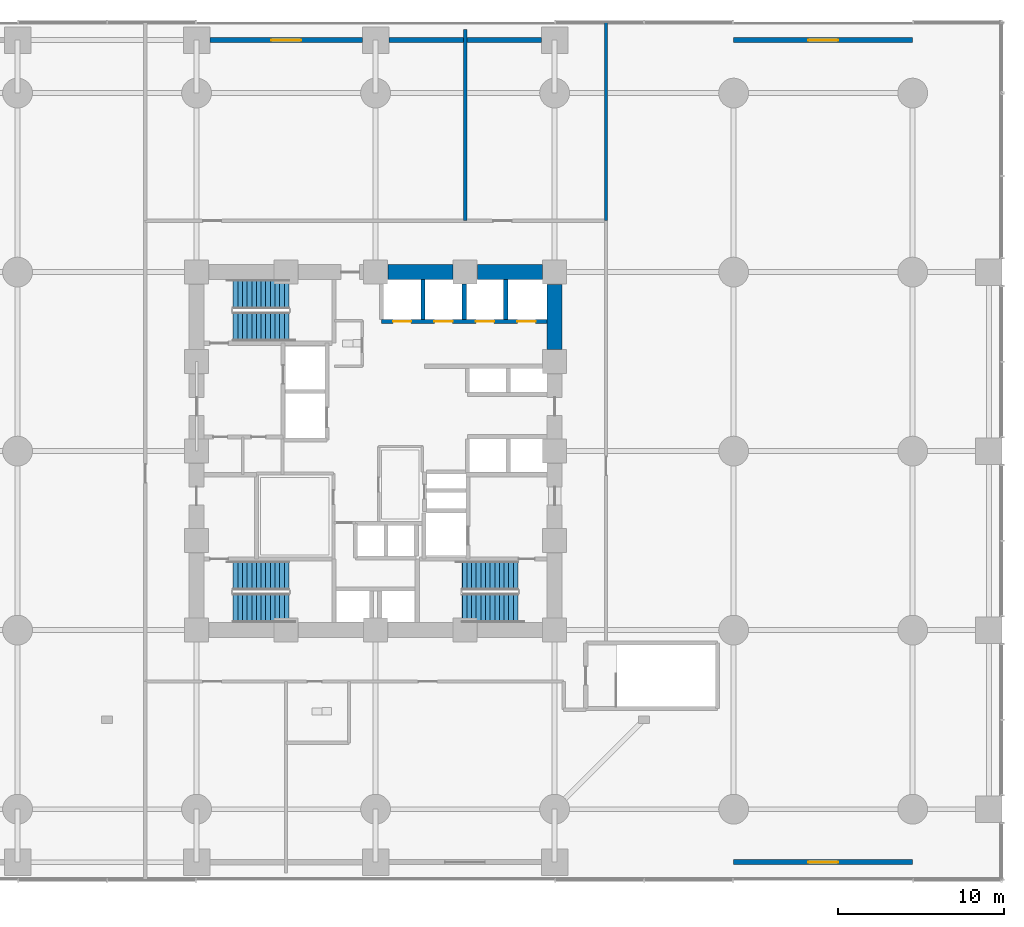
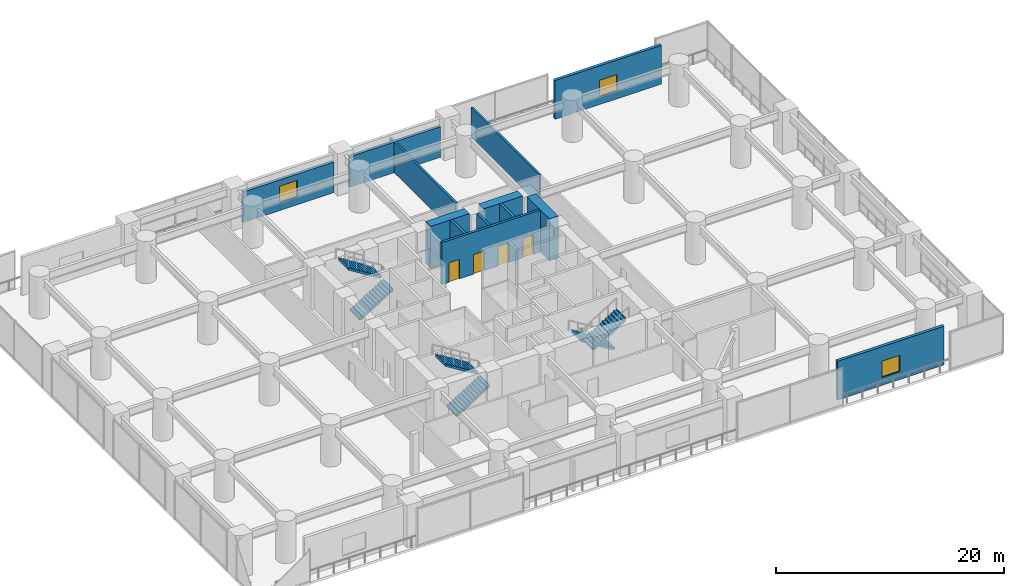
# One storey, part 29 of 35: 13 walls, 6 stair flights, 4 doors, 3 windows, 7 openings, 3 elements without a shape of their own.
"""IFC4 building model written with IfcOpenShell, lengths in metres."""

from ifc_helpers import new_model, si_unit, direction, frame, frame_2d, origin, place, context, subcontext, project, spatial, polyline, rectangle, outline, extrude, material, layer, layer_set, type_object, element, fill, aggregate, save


model = new_model("IFC4")

# Units and contexts
model_context = context("Model", 3, precision=1e-05, world=origin(), true_north=direction((0.0, 1.0)))
body_context = subcontext(model_context, "Body", "Model", "MODEL_VIEW")
ifc_project = project(units=[si_unit("LENGTHUNIT", "METRE"), si_unit("AREAUNIT", "SQUARE_METRE"), si_unit("VOLUMEUNIT", "CUBIC_METRE"), si_unit("PLANEANGLEUNIT", "RADIAN"), si_unit("MASSUNIT", "GRAM", prefix="KILO")], contexts=[model_context])

# Site, building, storey
site_placement = place(None, origin())
site = spatial("IfcSite", under=ifc_project, at=site_placement, CompositionType="ELEMENT")
building_placement = place(site_placement, origin())
building = spatial("IfcBuilding", under=site, at=building_placement, Name="Surkhivell Harbour Commons", CompositionType="ELEMENT")
storey_placement = place(building_placement, frame((0.0, 0.0, 13.5)))
storey = spatial("IfcBuildingStorey", under=building, at=storey_placement, Name="L03", CompositionType="ELEMENT", Elevation=13.5)

# Walls
ifc_material_1 = material(Name="Concrete C80/95", Category="concrete")
ifc_layer_1 = layer(ifc_material_1, 0.89990234375)
ifc_layer_set_1 = layer_set([ifc_layer_1], Name="Concrete C80/95")
wall_type_1 = type_object("IfcWallType", Name="WAL-CORE-900", PredefinedType="SHEAR", material=ifc_layer_set_1)
for number, where, z_axis, x_axis, name in (
    (1, (0.735107421875, 10.800048828125, 0.0), (0.0, 0.0, 1.0), (1.0, 0.0, 0.0), "L03 Core Shear Wall North 3"),
    (2, (6.135009765625, 10.800048828125, 0.0), (0.0, 0.0, 1.0), (1.0, 0.0, 0.0), "L03 Core Shear Wall North 4"),
    (3, (10.800048828125, 6.135009765625, 0.0), (0.0, 0.0, 1.0), (0.0, 1.0, 0.0), "L03 Core Shear Wall East 4"),
):
    element("IfcWall", number, at=place(storey_placement, frame(where, z_axis=z_axis, x_axis=x_axis)), inside=storey, type_object=wall_type_1, Name=name, PredefinedType="SHEAR", context=body_context, shape_type="SweptSolid", body=[
        extrude(rectangle(XDim=3.929931640625, YDim=0.89990234375, at=frame_2d((1.96484375, 0.0))), origin(), (0.0, 0.0, 1.0), 4.5),
    ])
ifc_material_2 = material(Name="Flemish-bond kiln brick and precast concrete C45/55", Category="masonry")
ifc_layer_2 = layer(ifc_material_2, 0.300048828125)
ifc_layer_set_2 = layer_set([ifc_layer_2], Name="Flemish-bond kiln brick and precast concrete C45/55")
wall_type_2 = type_object("IfcWallType", Name="WAL-EXT-BRK300", PredefinedType="STANDARD", material=ifc_layer_set_2)
wall_1_placement = place(storey_placement, frame((0.798095703125, 24.800048828125, 0.0), z_axis=(0.0, 0.0, 1.0), x_axis=(1.0, 0.0, 0.0)))
element("IfcWall", 4, at=wall_1_placement, inside=storey, type_object=wall_type_2, Name="L03 Podium Brick Facade Wall N5", PredefinedType="STANDARD", context=body_context, shape_type="SweptSolid", body=[
    extrude(rectangle(XDim=9.203857421875, YDim=0.300048828125, at=frame_2d((4.60205078125, 0.0))), origin(), (0.0, 0.0, 1.0), 3.279052734375),
])

# Wall, opening, window
wall_2_placement = place(storey_placement, frame((21.60009765625, 24.800048828125, 0.0), z_axis=(0.0, 0.0, 1.0), x_axis=(1.0, 0.0, 0.0)))
wall_2 = element("IfcWall", 5, at=wall_2_placement, inside=storey, type_object=wall_type_2, Name="L03 Podium Brick Facade Wall N7", PredefinedType="STANDARD", context=body_context, shape_type="SweptSolid", body=[
    extrude(rectangle(XDim=10.7998046875, YDim=0.300048828125, at=frame_2d((5.39990234375, 0.0))), origin(), (0.0, 0.0, 1.0), 4.14990234375),
])
opening_1_placement = place(wall_2_placement, frame((4.5, 0.0, 0.85009765625)))
opening_1 = element("IfcOpeningElement", 6, at=opening_1_placement, cuts=wall_2, Name="Opening WN-03", PredefinedType="OPENING", context=body_context, shape_type="SweptSolid", body=[
    extrude(rectangle(XDim=1.800048828125, YDim=1.75, at=frame_2d((0.89990234375, 0.875))), frame((0.0, 0.159912109375, 0.0), z_axis=(0.0, -1.0, 0.0), x_axis=(1.0, 0.0, 0.0)), (0.0, 0.0, 1.0), 0.320068359375),
])
ifc_material_3 = material(Name="Thermal-break aluminium frame and double low-E glazing", Category="aluminium")
window_type = type_object("IfcWindowType", Name="WIN-POD-1800x1750", PartitioningType="DOUBLE_PANEL_VERTICAL", PredefinedType="WINDOW", material=ifc_material_3)
window_1_placement = place(opening_1_placement, origin())
window_1 = element("IfcWindow", 7, at=window_1_placement, inside=storey, type_object=window_type, Name="L03 Podium Punched Window N7", OverallHeight=1.75, OverallWidth=1.800048828125, PartitioningType="SINGLE_PANEL", PredefinedType="WINDOW", context=body_context, shape_type="SweptSolid", body=[
    extrude(rectangle(XDim=1.800048828125, YDim=1.75, at=frame_2d((0.89990234375, 0.875))), frame((0.0, 0.030029296875, 0.0), z_axis=(0.0, -1.0, 0.0), x_axis=(1.0, 0.0, 0.0)), (0.0, 0.0, 1.0), 0.06005859375),
])
fill(opening_1, window_1)

wall_3_placement = place(storey_placement, frame((32.39990234375, -24.800048828125, 0.0), z_axis=(0.0, 0.0, 1.0), x_axis=(-1.0, 0.0, 0.0)))
wall_3 = element("IfcWall", 8, at=wall_3_placement, inside=storey, type_object=wall_type_2, Name="L03 Podium Brick Facade Wall S7", PredefinedType="STANDARD", context=body_context, shape_type="SweptSolid", body=[
    extrude(rectangle(XDim=10.7998046875, YDim=0.300048828125, at=frame_2d((5.39990234375, 0.0))), origin(), (0.0, 0.0, 1.0), 4.14990234375),
])
opening_2_placement = place(wall_3_placement, frame((4.5, 0.0, 0.85009765625)))
opening_2 = element("IfcOpeningElement", 9, at=opening_2_placement, cuts=wall_3, Name="Opening WN-03", PredefinedType="OPENING", context=body_context, shape_type="SweptSolid", body=[
    extrude(rectangle(XDim=1.800048828125, YDim=1.75, at=frame_2d((0.89990234375, 0.875))), frame((0.0, 0.159912109375, 0.0), z_axis=(0.0, -1.0, 0.0), x_axis=(1.0, 0.0, 0.0)), (0.0, 0.0, 1.0), 0.320068359375),
])
window_2_placement = place(opening_2_placement, origin())
window_2 = element("IfcWindow", 10, at=window_2_placement, inside=storey, type_object=window_type, Name="L03 Podium Punched Window S7", OverallHeight=1.75, OverallWidth=1.800048828125, PartitioningType="SINGLE_PANEL", PredefinedType="WINDOW", context=body_context, shape_type="SweptSolid", body=[
    extrude(rectangle(XDim=1.800048828125, YDim=1.75, at=frame_2d((0.89990234375, 0.875))), frame((0.0, 0.030029296875, 0.0), z_axis=(0.0, -1.0, 0.0), x_axis=(1.0, 0.0, 0.0)), (0.0, 0.0, 1.0), 0.06005859375),
])
fill(opening_2, window_2)

ifc_material_4 = material(Name="Kiln-fired surkhi brick and precast concrete C45/55", Category="masonry")
ifc_layer_3 = layer(ifc_material_4, 0.320068359375)
ifc_layer_set_3 = layer_set([ifc_layer_3], Name="Kiln-fired surkhi brick and precast concrete C45/55")
wall_type_3 = type_object("IfcWallType", Name="WAL-EXT-BRK320", PredefinedType="STANDARD", material=ifc_layer_set_3)
wall_4_placement = place(storey_placement, frame((-10.001953125, 24.800048828125, 0.0), z_axis=(0.0, 0.0, 1.0), x_axis=(1.0, 0.0, 0.0)))
wall_4 = element("IfcWall", 11, at=wall_4_placement, inside=storey, type_object=wall_type_3, Name="L03 Podium Brick Facade Wall N4", PredefinedType="STANDARD", context=body_context, shape_type="SweptSolid", body=[
    extrude(rectangle(XDim=9.203857421875, YDim=0.320068359375, at=frame_2d((4.60205078125, 0.0))), origin(), (0.0, 0.0, 1.0), 3.279052734375),
])
opening_3_placement = place(wall_4_placement, frame((3.701904296875, 0.0, 0.85009765625)))
opening_3 = element("IfcOpeningElement", 12, at=opening_3_placement, cuts=wall_4, Name="Opening WN-03", PredefinedType="OPENING", context=body_context, shape_type="SweptSolid", body=[
    extrude(rectangle(XDim=1.800048828125, YDim=1.75, at=frame_2d((0.89990234375, 0.875))), frame((0.0, 0.169921875, 0.0), z_axis=(0.0, -1.0, 0.0), x_axis=(1.0, 0.0, 0.0)), (0.0, 0.0, 1.0), 0.340087890625),
])
window_3_placement = place(opening_3_placement, origin())
window_3 = element("IfcWindow", 13, at=window_3_placement, inside=storey, type_object=window_type, Name="L03 Podium Punched Window N4", OverallHeight=1.75, OverallWidth=1.800048828125, PartitioningType="SINGLE_PANEL", PredefinedType="WINDOW", context=body_context, shape_type="SweptSolid", body=[
    extrude(rectangle(XDim=1.800048828125, YDim=1.75, at=frame_2d((0.89990234375, 0.875))), frame((0.0, 0.030029296875, 0.0), z_axis=(0.0, -1.0, 0.0), x_axis=(1.0, 0.0, 0.0)), (0.0, 0.0, 1.0), 0.06005859375),
])
fill(opening_3, window_3)

# Walls
ifc_material_5 = material(Name="Autoclaved aerated concrete blockwork and fire plaster", Category="masonry")
ifc_layer_4 = layer(ifc_material_5, 0.199951171875)
ifc_layer_set_4 = layer_set([ifc_layer_4], Name="Autoclaved aerated concrete blockwork and fire plaster")
wall_type_4 = type_object("IfcWallType", Name="WAL-INT-200", PredefinedType="PARTITIONING", material=ifc_layer_set_4)
wall_5_placement = place(storey_placement, frame((5.39990234375, 13.89990234375, 0.0), z_axis=(0.0, 0.0, 1.0), x_axis=(0.0, 1.0, 0.0)))
element("IfcWall", 14, at=wall_5_placement, inside=storey, type_object=wall_type_4, Name="L03 Podium North Divider", PredefinedType="PARTITIONING", context=body_context, shape_type="SweptSolid", body=[
    extrude(rectangle(XDim=11.550048828125, YDim=0.199951171875, at=frame_2d((5.77490234375, 0.0))), origin(), (0.0, 0.0, 1.0), 3.279052734375),
])
wall_6_placement = place(storey_placement, frame((13.89990234375, 13.89990234375, 0.0), z_axis=(0.0, 0.0, 1.0), x_axis=(0.0, 1.0, 0.0)))
element("IfcWall", 15, at=wall_6_placement, inside=storey, type_object=wall_type_4, Name="L03 Corner NE Divider", PredefinedType="PARTITIONING", context=body_context, shape_type="SweptSolid", body=[
    extrude(rectangle(XDim=11.960205078125, YDim=0.199951171875, at=frame_2d((5.97998046875, 0.0))), origin(), (0.0, 0.0, 1.0), 3.279052734375),
])
ifc_material_6 = material(Name="Concrete C50/60", Category="concrete")
ifc_layer_5 = layer(ifc_material_6, 0.25)
ifc_layer_set_5 = layer_set([ifc_layer_5], Name="Concrete C50/60")
wall_type_5 = type_object("IfcWallType", Name="WAL-SHAFT-250", PredefinedType="SHEAR", material=ifc_layer_set_5)
wall_7_placement = place(storey_placement, frame((2.85009765625, 7.93994140625, 0.0), z_axis=(0.0, 0.0, 1.0), x_axis=(0.0, 1.0, 0.0)))
element("IfcWall", 16, at=wall_7_placement, inside=storey, type_object=wall_type_5, Name="L03 Low-Rise Hoistway Wall", PredefinedType="SHEAR", context=body_context, shape_type="SweptSolid", body=[
    extrude(rectangle(XDim=2.41015625, YDim=0.25, at=frame_2d((1.205078125, 0.0))), origin(), (0.0, 0.0, 1.0), 4.5),
])
wall_8_placement = place(storey_placement, frame((5.35009765625, 7.93994140625, 0.0), z_axis=(0.0, 0.0, 1.0), x_axis=(0.0, 1.0, 0.0)))
element("IfcWall", 17, at=wall_8_placement, inside=storey, type_object=wall_type_5, Name="L03 Low-Rise Hoistway Wall", PredefinedType="SHEAR", context=body_context, shape_type="SweptSolid", body=[
    extrude(rectangle(XDim=2.135009765625, YDim=0.25, at=frame_2d((1.0673828125, 0.0))), origin(), (0.0, 0.0, 1.0), 4.5),
])
wall_9_placement = place(storey_placement, frame((7.85009765625, 7.93994140625, 0.0), z_axis=(0.0, 0.0, 1.0), x_axis=(0.0, 1.0, 0.0)))
element("IfcWall", 18, at=wall_9_placement, inside=storey, type_object=wall_type_5, Name="L03 Low-Rise Hoistway Wall", PredefinedType="SHEAR", context=body_context, shape_type="SweptSolid", body=[
    extrude(rectangle(XDim=2.41015625, YDim=0.25, at=frame_2d((1.205078125, 0.0))), origin(), (0.0, 0.0, 1.0), 4.5),
])

# Wall, openings, doors
wall_10_placement = place(storey_placement, frame((0.35009765625, 7.820068359375, 0.0), z_axis=(0.0, 0.0, 1.0), x_axis=(1.0, 0.0, 0.0)))
wall_10 = element("IfcWall", 19, at=wall_10_placement, inside=storey, type_object=wall_type_5, Name="L03 Low-Rise Lift Front Shaft Wall", PredefinedType="SHEAR", context=body_context, shape_type="SweptSolid", body=[
    extrude(rectangle(XDim=10.0, YDim=0.25, at=frame_2d((5.0, 0.0))), origin(), (0.0, 0.0, 1.0), 4.5),
])
opening_4_placement = place(wall_10_placement, frame((0.699951171875, 0.0, 0.0)))
opening_4 = element("IfcOpeningElement", 20, at=opening_4_placement, cuts=wall_10, Name="Opening LD-1", PredefinedType="OPENING", context=body_context, shape_type="SweptSolid", body=[
    extrude(rectangle(XDim=1.10009765625, YDim=2.10009765625, at=frame_2d((0.550048828125, 1.050048828125))), frame((0.0, 0.135009765625, 0.0), z_axis=(0.0, -1.0, 0.0), x_axis=(1.0, 0.0, 0.0)), (0.0, 0.0, 1.0), 0.27001953125),
])
opening_5_placement = place(wall_10_placement, frame((3.199951171875, 0.0, 0.0)))
opening_5 = element("IfcOpeningElement", 21, at=opening_5_placement, cuts=wall_10, Name="Opening LD-1", PredefinedType="OPENING", context=body_context, shape_type="SweptSolid", body=[
    extrude(rectangle(XDim=1.10009765625, YDim=2.10009765625, at=frame_2d((0.550048828125, 1.050048828125))), frame((0.0, 0.135009765625, 0.0), z_axis=(0.0, -1.0, 0.0), x_axis=(1.0, 0.0, 0.0)), (0.0, 0.0, 1.0), 0.27001953125),
])
opening_6_placement = place(wall_10_placement, frame((5.699951171875, 0.0, 0.0)))
opening_6 = element("IfcOpeningElement", 22, at=opening_6_placement, cuts=wall_10, Name="Opening LD-1", PredefinedType="OPENING", context=body_context, shape_type="SweptSolid", body=[
    extrude(rectangle(XDim=1.10009765625, YDim=2.10009765625, at=frame_2d((0.550048828125, 1.050048828125))), frame((0.0, 0.135009765625, 0.0), z_axis=(0.0, -1.0, 0.0), x_axis=(1.0, 0.0, 0.0)), (0.0, 0.0, 1.0), 0.27001953125),
])
opening_7_placement = place(wall_10_placement, frame((8.199951171875, 0.0, 0.0)))
opening_7 = element("IfcOpeningElement", 23, at=opening_7_placement, cuts=wall_10, Name="Opening LD-1", PredefinedType="OPENING", context=body_context, shape_type="SweptSolid", body=[
    extrude(rectangle(XDim=1.10009765625, YDim=2.10009765625, at=frame_2d((0.550048828125, 1.050048828125))), frame((0.0, 0.135009765625, 0.0), z_axis=(0.0, -1.0, 0.0), x_axis=(1.0, 0.0, 0.0)), (0.0, 0.0, 1.0), 0.27001953125),
])
ifc_material_7 = material(Name="Brushed stainless steel S355", Category="steel")
door_type = type_object("IfcDoorType", Name="DOR-LD-1100", OperationType="SLIDING_TO_LEFT", PredefinedType="DOOR", material=ifc_material_7)
door_1_placement = place(opening_4_placement, origin())
door_1 = element("IfcDoor", 24, at=door_1_placement, inside=storey, type_object=door_type, Name="L03 Lift Landing Door LD-PL1", OperationType="SLIDING_TO_LEFT", OverallHeight=2.10009765625, OverallWidth=1.10009765625, PredefinedType="DOOR", context=body_context, shape_type="SweptSolid", body=[
    extrude(rectangle(XDim=1.10009765625, YDim=2.10009765625, at=frame_2d((0.550048828125, 1.050048828125))), frame((0.0, 0.02490234375, 0.0), z_axis=(0.0, -1.0, 0.0), x_axis=(1.0, 0.0, 0.0)), (0.0, 0.0, 1.0), 0.050048828125),
])
fill(opening_4, door_1)
door_2_placement = place(opening_5_placement, origin())
door_2 = element("IfcDoor", 25, at=door_2_placement, inside=storey, type_object=door_type, Name="L03 Lift Landing Door LD-PL2", OperationType="SLIDING_TO_LEFT", OverallHeight=2.10009765625, OverallWidth=1.10009765625, PredefinedType="DOOR", context=body_context, shape_type="SweptSolid", body=[
    extrude(rectangle(XDim=1.10009765625, YDim=2.10009765625, at=frame_2d((0.550048828125, 1.050048828125))), frame((0.0, 0.02490234375, 0.0), z_axis=(0.0, -1.0, 0.0), x_axis=(1.0, 0.0, 0.0)), (0.0, 0.0, 1.0), 0.050048828125),
])
fill(opening_5, door_2)
door_3_placement = place(opening_6_placement, origin())
door_3 = element("IfcDoor", 26, at=door_3_placement, inside=storey, type_object=door_type, Name="L03 Lift Landing Door LD-PL3", OperationType="SLIDING_TO_LEFT", OverallHeight=2.10009765625, OverallWidth=1.10009765625, PredefinedType="DOOR", context=body_context, shape_type="SweptSolid", body=[
    extrude(rectangle(XDim=1.10009765625, YDim=2.10009765625, at=frame_2d((0.550048828125, 1.050048828125))), frame((0.0, 0.02490234375, 0.0), z_axis=(0.0, -1.0, 0.0), x_axis=(1.0, 0.0, 0.0)), (0.0, 0.0, 1.0), 0.050048828125),
])
fill(opening_6, door_3)
door_4_placement = place(opening_7_placement, origin())
door_4 = element("IfcDoor", 27, at=door_4_placement, inside=storey, type_object=door_type, Name="L03 Lift Landing Door LD-PL4", OperationType="SLIDING_TO_LEFT", OverallHeight=2.10009765625, OverallWidth=1.10009765625, PredefinedType="DOOR", context=body_context, shape_type="SweptSolid", body=[
    extrude(rectangle(XDim=1.10009765625, YDim=2.10009765625, at=frame_2d((0.550048828125, 1.050048828125))), frame((0.0, 0.02490234375, 0.0), z_axis=(0.0, -1.0, 0.0), x_axis=(1.0, 0.0, 0.0)), (0.0, 0.0, 1.0), 0.050048828125),
])
fill(opening_7, door_4)

# Stair, stair flights
ifc_material_8 = material(Name="Precast concrete C45/55", Category="concrete")
stair_type = type_object("IfcStairType", Name="STR-DL-450", PredefinedType="HALF_TURN_STAIR", material=ifc_material_8)
stair_1_placement = place(storey_placement, origin())
stair_1 = element("IfcStair", 28, at=stair_1_placement, inside=storey, type_object=stair_type, Name="L03 Core Exit Stair ST1", PredefinedType="HALF_TURN_STAIR")
stair_flight_type = type_object("IfcStairFlightType", Name="STF-DL-450", PredefinedType="STRAIGHT", material=ifc_material_8)
stair_flight_1_placement = place(storey_placement, frame((-8.590087890625, 7.514892578125, 0.0), z_axis=(0.0, 0.0, 1.0), x_axis=(1.0, 0.0, 0.0)))
stair_flight_1 = element("IfcStairFlight", 29, at=stair_flight_1_placement, type_object=stair_flight_type, Name="ST1 flight 1", NumberOfRisers=13, NumberOfTreads=12, PredefinedType="STRAIGHT", RiserHeight=0.173076923, TreadLength=0.28, context=body_context, shape_type="SweptSolid", body=[
    extrude(outline(polyline([(-0.0029296875, -0.034912109375), (-0.0029296875, 0.0), (0.0, 0.0), (0.0, 0.173095703125), (0.280029296875, 0.173095703125), (0.280029296875, 0.34619140625), (0.56005859375, 0.34619140625), (0.56005859375, 0.519287109375), (0.840087890625, 0.519287109375), (0.840087890625, 0.6923828125), (1.1201171875, 0.6923828125), (1.1201171875, 0.865478515625), (1.39990234375, 0.865478515625), (1.39990234375, 1.03857421875), (1.679931640625, 1.03857421875), (1.679931640625, 1.21142578125), (1.9599609375, 1.21142578125), (1.9599609375, 1.384521484375), (2.239990234375, 1.384521484375), (2.239990234375, 1.5576171875), (2.52001953125, 1.5576171875), (2.52001953125, 1.730712890625), (2.800048828125, 1.730712890625), (2.800048828125, 1.90380859375), (3.080078125, 1.90380859375), (3.080078125, 2.076904296875), (3.360107421875, 2.076904296875), (3.360107421875, 2.25), (3.363037109375, 2.25), (3.363037109375, 1.900634765625), (0.28515625, -0.034912109375), (-0.0029296875, -0.034912109375)])), frame((0.0, 0.875, 0.0), z_axis=(0.0, -1.0, 0.0), x_axis=(1.0, 0.0, 0.0)), (0.0, 0.0, 1.0), 1.75),
])
stair_flight_2_placement = place(storey_placement, frame((-5.22998046875, 9.465087890625, 2.25), z_axis=(0.0, 0.0, 1.0), x_axis=(-1.0, 0.0, 0.0)))
stair_flight_2 = element("IfcStairFlight", 30, at=stair_flight_2_placement, type_object=stair_flight_type, Name="ST1 flight 2", NumberOfRisers=13, NumberOfTreads=12, PredefinedType="STRAIGHT", RiserHeight=0.173076923, TreadLength=0.28, context=body_context, shape_type="SweptSolid", body=[
    extrude(outline(polyline([(-0.0029296875, -0.034912109375), (-0.0029296875, 0.0), (0.0, 0.0), (0.0, 0.173095703125), (0.280029296875, 0.173095703125), (0.280029296875, 0.34619140625), (0.56005859375, 0.34619140625), (0.56005859375, 0.519287109375), (0.840087890625, 0.519287109375), (0.840087890625, 0.6923828125), (1.1201171875, 0.6923828125), (1.1201171875, 0.865478515625), (1.39990234375, 0.865478515625), (1.39990234375, 1.03857421875), (1.679931640625, 1.03857421875), (1.679931640625, 1.21142578125), (1.9599609375, 1.21142578125), (1.9599609375, 1.384521484375), (2.239990234375, 1.384521484375), (2.239990234375, 1.5576171875), (2.52001953125, 1.5576171875), (2.52001953125, 1.730712890625), (2.800048828125, 1.730712890625), (2.800048828125, 1.90380859375), (3.080078125, 1.90380859375), (3.080078125, 2.076904296875), (3.360107421875, 2.076904296875), (3.360107421875, 2.25), (3.363037109375, 2.25), (3.363037109375, 1.900634765625), (0.28515625, -0.034912109375), (-0.0029296875, -0.034912109375)])), frame((0.0, 0.875, 0.0), z_axis=(0.0, -1.0, 0.0), x_axis=(1.0, 0.0, 0.0)), (0.0, 0.0, 1.0), 1.75),
])
aggregate(stair_1, [stair_flight_1, stair_flight_2])

stair_2_placement = place(storey_placement, origin())
stair_2 = element("IfcStair", 31, at=stair_2_placement, inside=storey, type_object=stair_type, Name="L03 Core Exit Stair ST2", PredefinedType="HALF_TURN_STAIR")
stair_flight_3_placement = place(storey_placement, frame((8.590087890625, -7.514892578125, 0.0), z_axis=(0.0, 0.0, 1.0), x_axis=(-1.0, 0.0, 0.0)))
stair_flight_3 = element("IfcStairFlight", 32, at=stair_flight_3_placement, type_object=stair_flight_type, Name="ST2 flight 1", NumberOfRisers=13, NumberOfTreads=12, PredefinedType="STRAIGHT", RiserHeight=0.173076923, TreadLength=0.28, context=body_context, shape_type="SweptSolid", body=[
    extrude(outline(polyline([(-0.0029296875, -0.034912109375), (-0.0029296875, 0.0), (0.0, 0.0), (0.0, 0.173095703125), (0.280029296875, 0.173095703125), (0.280029296875, 0.34619140625), (0.56005859375, 0.34619140625), (0.56005859375, 0.519287109375), (0.840087890625, 0.519287109375), (0.840087890625, 0.6923828125), (1.1201171875, 0.6923828125), (1.1201171875, 0.865478515625), (1.39990234375, 0.865478515625), (1.39990234375, 1.03857421875), (1.679931640625, 1.03857421875), (1.679931640625, 1.21142578125), (1.9599609375, 1.21142578125), (1.9599609375, 1.384521484375), (2.239990234375, 1.384521484375), (2.239990234375, 1.5576171875), (2.52001953125, 1.5576171875), (2.52001953125, 1.730712890625), (2.800048828125, 1.730712890625), (2.800048828125, 1.90380859375), (3.080078125, 1.90380859375), (3.080078125, 2.076904296875), (3.360107421875, 2.076904296875), (3.360107421875, 2.25), (3.363037109375, 2.25), (3.363037109375, 1.900634765625), (0.28515625, -0.034912109375), (-0.0029296875, -0.034912109375)])), frame((0.0, 0.875, 0.0), z_axis=(0.0, -1.0, 0.0), x_axis=(1.0, 0.0, 0.0)), (0.0, 0.0, 1.0), 1.75),
])
stair_flight_4_placement = place(storey_placement, frame((5.22998046875, -9.465087890625, 2.25), z_axis=(0.0, 0.0, 1.0), x_axis=(1.0, 0.0, 0.0)))
stair_flight_4 = element("IfcStairFlight", 33, at=stair_flight_4_placement, type_object=stair_flight_type, Name="ST2 flight 2", NumberOfRisers=13, NumberOfTreads=12, PredefinedType="STRAIGHT", RiserHeight=0.173076923, TreadLength=0.28, context=body_context, shape_type="SweptSolid", body=[
    extrude(outline(polyline([(-0.0029296875, -0.034912109375), (-0.0029296875, 0.0), (0.0, 0.0), (0.0, 0.173095703125), (0.280029296875, 0.173095703125), (0.280029296875, 0.34619140625), (0.56005859375, 0.34619140625), (0.56005859375, 0.519287109375), (0.840087890625, 0.519287109375), (0.840087890625, 0.6923828125), (1.1201171875, 0.6923828125), (1.1201171875, 0.865478515625), (1.39990234375, 0.865478515625), (1.39990234375, 1.03857421875), (1.679931640625, 1.03857421875), (1.679931640625, 1.21142578125), (1.9599609375, 1.21142578125), (1.9599609375, 1.384521484375), (2.239990234375, 1.384521484375), (2.239990234375, 1.5576171875), (2.52001953125, 1.5576171875), (2.52001953125, 1.730712890625), (2.800048828125, 1.730712890625), (2.800048828125, 1.90380859375), (3.080078125, 1.90380859375), (3.080078125, 2.076904296875), (3.360107421875, 2.076904296875), (3.360107421875, 2.25), (3.363037109375, 2.25), (3.363037109375, 1.900634765625), (0.28515625, -0.034912109375), (-0.0029296875, -0.034912109375)])), frame((0.0, 0.875, 0.0), z_axis=(0.0, -1.0, 0.0), x_axis=(1.0, 0.0, 0.0)), (0.0, 0.0, 1.0), 1.75),
])
aggregate(stair_2, [stair_flight_3, stair_flight_4])

stair_3_placement = place(storey_placement, origin())
stair_3 = element("IfcStair", 34, at=stair_3_placement, inside=storey, type_object=stair_type, Name="L03 Core Exit Stair ST3", PredefinedType="HALF_TURN_STAIR")
stair_flight_5_placement = place(storey_placement, frame((-8.590087890625, -9.465087890625, 0.0), z_axis=(0.0, 0.0, 1.0), x_axis=(1.0, 0.0, 0.0)))
stair_flight_5 = element("IfcStairFlight", 35, at=stair_flight_5_placement, type_object=stair_flight_type, Name="ST3 flight 1", NumberOfRisers=13, NumberOfTreads=12, PredefinedType="STRAIGHT", RiserHeight=0.173076923, TreadLength=0.28, context=body_context, shape_type="SweptSolid", body=[
    extrude(outline(polyline([(-0.0029296875, -0.034912109375), (-0.0029296875, 0.0), (0.0, 0.0), (0.0, 0.173095703125), (0.280029296875, 0.173095703125), (0.280029296875, 0.34619140625), (0.56005859375, 0.34619140625), (0.56005859375, 0.519287109375), (0.840087890625, 0.519287109375), (0.840087890625, 0.6923828125), (1.1201171875, 0.6923828125), (1.1201171875, 0.865478515625), (1.39990234375, 0.865478515625), (1.39990234375, 1.03857421875), (1.679931640625, 1.03857421875), (1.679931640625, 1.21142578125), (1.9599609375, 1.21142578125), (1.9599609375, 1.384521484375), (2.239990234375, 1.384521484375), (2.239990234375, 1.5576171875), (2.52001953125, 1.5576171875), (2.52001953125, 1.730712890625), (2.800048828125, 1.730712890625), (2.800048828125, 1.90380859375), (3.080078125, 1.90380859375), (3.080078125, 2.076904296875), (3.360107421875, 2.076904296875), (3.360107421875, 2.25), (3.363037109375, 2.25), (3.363037109375, 1.900634765625), (0.28515625, -0.034912109375), (-0.0029296875, -0.034912109375)])), frame((0.0, 0.875, 0.0), z_axis=(0.0, -1.0, 0.0), x_axis=(1.0, 0.0, 0.0)), (0.0, 0.0, 1.0), 1.75),
])
stair_flight_6_placement = place(storey_placement, frame((-5.22998046875, -7.514892578125, 2.25), z_axis=(0.0, 0.0, 1.0), x_axis=(-1.0, 0.0, 0.0)))
stair_flight_6 = element("IfcStairFlight", 36, at=stair_flight_6_placement, type_object=stair_flight_type, Name="ST3 flight 2", NumberOfRisers=13, NumberOfTreads=12, PredefinedType="STRAIGHT", RiserHeight=0.173076923, TreadLength=0.28, context=body_context, shape_type="SweptSolid", body=[
    extrude(outline(polyline([(-0.0029296875, -0.034912109375), (-0.0029296875, 0.0), (0.0, 0.0), (0.0, 0.173095703125), (0.280029296875, 0.173095703125), (0.280029296875, 0.34619140625), (0.56005859375, 0.34619140625), (0.56005859375, 0.519287109375), (0.840087890625, 0.519287109375), (0.840087890625, 0.6923828125), (1.1201171875, 0.6923828125), (1.1201171875, 0.865478515625), (1.39990234375, 0.865478515625), (1.39990234375, 1.03857421875), (1.679931640625, 1.03857421875), (1.679931640625, 1.21142578125), (1.9599609375, 1.21142578125), (1.9599609375, 1.384521484375), (2.239990234375, 1.384521484375), (2.239990234375, 1.5576171875), (2.52001953125, 1.5576171875), (2.52001953125, 1.730712890625), (2.800048828125, 1.730712890625), (2.800048828125, 1.90380859375), (3.080078125, 1.90380859375), (3.080078125, 2.076904296875), (3.360107421875, 2.076904296875), (3.360107421875, 2.25), (3.363037109375, 2.25), (3.363037109375, 1.900634765625), (0.28515625, -0.034912109375), (-0.0029296875, -0.034912109375)])), frame((0.0, 0.875, 0.0), z_axis=(0.0, -1.0, 0.0), x_axis=(1.0, 0.0, 0.0)), (0.0, 0.0, 1.0), 1.75),
])
aggregate(stair_3, [stair_flight_5, stair_flight_6])

save(model, "model.ifc")
